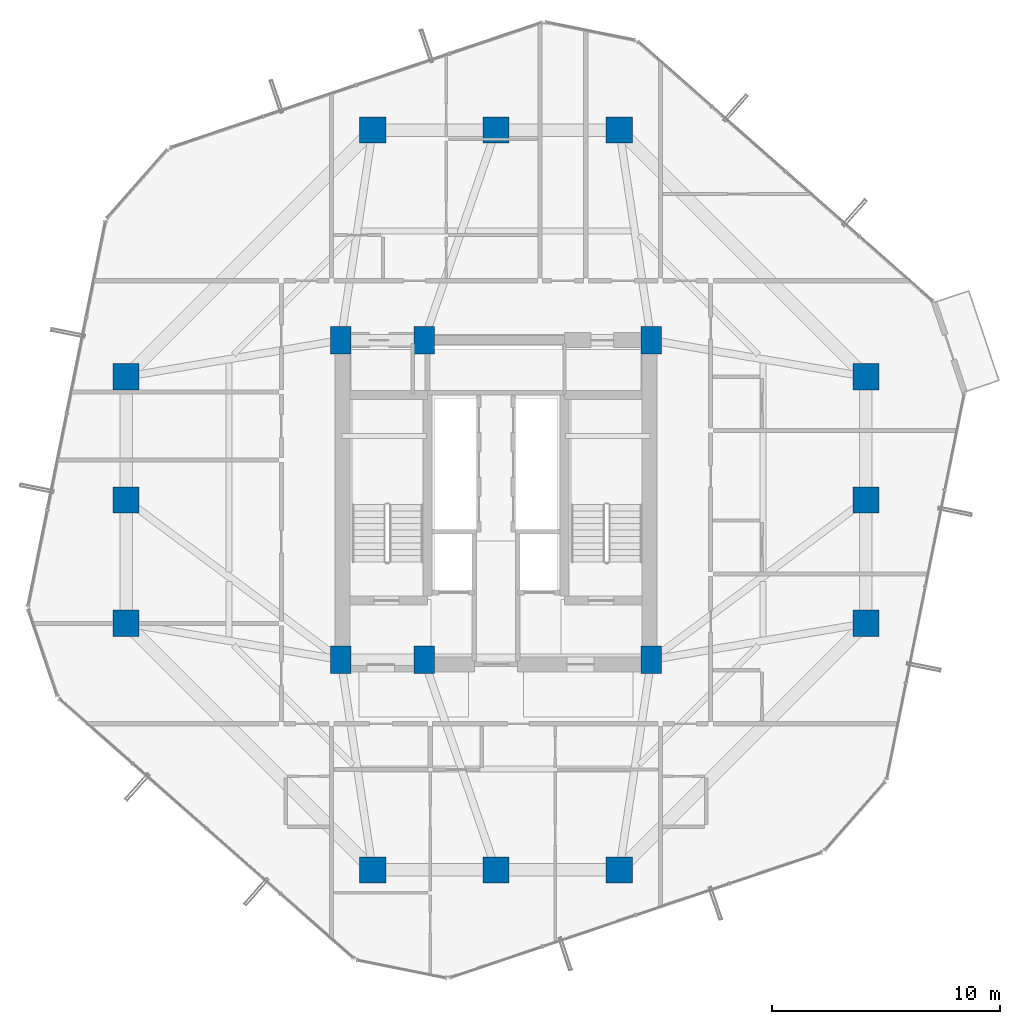
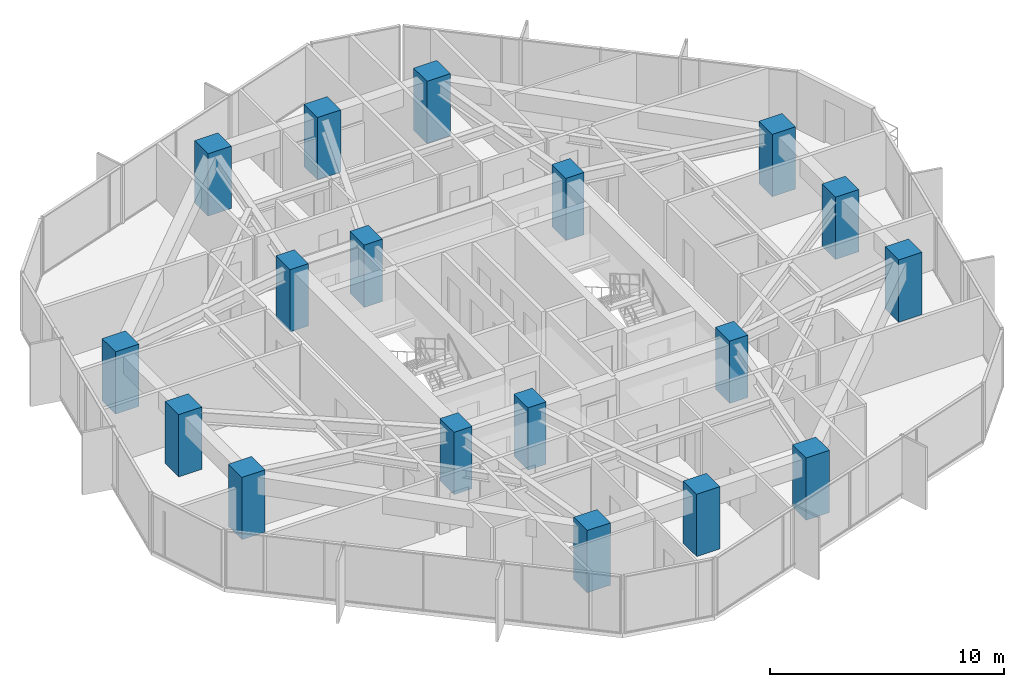
# One storey, part 1 of 32: 18 columns.
"""IFC4 building model written with IfcOpenShell, lengths in metres."""

from ifc_helpers import new_model, si_unit, direction, frame, origin, origin_2d, place, context, subcontext, project, spatial, rectangle, extrude, material, material_profile, profile_set, type_object, element, save


model = new_model("IFC4")

# Units and contexts
model_context = context("Model", 3, precision=1e-05, world=origin(), true_north=direction((0.0, 1.0)))
body_context = subcontext(model_context, "Body", "Model", "MODEL_VIEW")
ifc_project = project(units=[si_unit("LENGTHUNIT", "METRE"), si_unit("AREAUNIT", "SQUARE_METRE"), si_unit("VOLUMEUNIT", "CUBIC_METRE"), si_unit("PLANEANGLEUNIT", "RADIAN"), si_unit("MASSUNIT", "GRAM", prefix="KILO")], contexts=[model_context])

# Site, building, storey
site_placement = place(None, origin())
site = spatial("IfcSite", under=ifc_project, at=site_placement, CompositionType="ELEMENT")
building_placement = place(site_placement, origin())
building = spatial("IfcBuilding", under=site, at=building_placement, Name="Veraguas Prism Commons", CompositionType="ELEMENT")
storey_placement = place(building_placement, frame((0.0, 0.0, 89.449951171875)))
storey = spatial("IfcBuildingStorey", under=building, at=storey_placement, Name="L24", CompositionType="ELEMENT", Elevation=89.449951171875)

# Columns
ifc_material = material(Name="Concrete C60/75", Category="concrete")
ifc_material_profile_1 = material_profile(ifc_material, rectangle(XDim=1.14990234375, YDim=1.14990234375, at=origin_2d()), Name="RC1150X1150")
ifc_profile_set_1 = profile_set([ifc_material_profile_1], Name="Concrete C60/75")
column_type_1 = type_object("IfcColumnType", Name="Column Tube Z2 RC 1150x1150", PredefinedType="COLUMN", material=ifc_profile_set_1)
for number, where, z_axis, x_axis, name in (
    (1, (40.199951171875, 18.60009765625, 0.0), (0.0, 0.0, 1.0), (1.0, 0.0, 0.0), "Tower Perimeter Column L24-TB01"),
    (2, (40.199951171875, 24.0, 0.0), (0.0, 0.0, 1.0), (1.0, 0.0, 0.0), "Tower Perimeter Column L24-TB02"),
    (3, (40.199951171875, 29.39990234375, 0.0), (0.0, 0.0, 1.0), (1.0, 0.0, 0.0), "Tower Perimeter Column L24-TB03"),
    (4, (29.39990234375, 40.199951171875, 0.0), (0.0, 0.0, 1.0), (1.0, 0.0, 0.0), "Tower Perimeter Column L24-TB04"),
    (5, (24.0, 40.199951171875, 0.0), (0.0, 0.0, 1.0), (1.0, 0.0, 0.0), "Tower Perimeter Column L24-TB05"),
    (6, (18.60009765625, 40.199951171875, 0.0), (0.0, 0.0, 1.0), (1.0, 0.0, 0.0), "Tower Perimeter Column L24-TB06"),
    (7, (7.800048828125, 29.39990234375, 0.0), (0.0, 0.0, 1.0), (1.0, 0.0, 0.0), "Tower Perimeter Column L24-TB07"),
    (8, (7.800048828125, 24.0, 0.0), (0.0, 0.0, 1.0), (1.0, 0.0, 0.0), "Tower Perimeter Column L24-TB08"),
    (9, (7.800048828125, 18.60009765625, 0.0), (0.0, 0.0, 1.0), (1.0, 0.0, 0.0), "Tower Perimeter Column L24-TB09"),
    (10, (18.60009765625, 7.800048828125, 0.0), (0.0, 0.0, 1.0), (1.0, 0.0, 0.0), "Tower Perimeter Column L24-TB10"),
    (11, (24.0, 7.800048828125, 0.0), (0.0, 0.0, 1.0), (1.0, 0.0, 0.0), "Tower Perimeter Column L24-TB11"),
    (12, (29.39990234375, 7.800048828125, 0.0), (0.0, 0.0, 1.0), (1.0, 0.0, 0.0), "Tower Perimeter Column L24-TB12"),
):
    element("IfcColumn", number, at=place(storey_placement, frame(where, z_axis=z_axis, x_axis=x_axis)), inside=storey, type_object=column_type_1, Name=name, PredefinedType="COLUMN", context=body_context, shape_type="SweptSolid", body=[
        extrude(rectangle(XDim=1.14990234375, YDim=1.14990234375, at=origin_2d()), origin(), (0.0, 0.0, 1.0), 3.25),
    ])
ifc_material_profile_2 = material_profile(ifc_material, rectangle(XDim=0.89990234375, YDim=1.199951171875, at=origin_2d()), Name="RC900X1200")
ifc_profile_set_2 = profile_set([ifc_material_profile_2], Name="Concrete C60/75")
column_type_2 = type_object("IfcColumnType", Name="Pilaster Core Lower RC 900x1200", PredefinedType="PILASTER", material=ifc_profile_set_2)
for number, where, z_axis, x_axis, name in (
    (13, (17.199951171875, 17.0, 0.0), (0.0, 0.0, 1.0), (1.0, 0.0, 0.0), "Core Pilaster Column L24-CR1"),
    (14, (20.85009765625, 17.0, 0.0), (0.0, 0.0, 1.0), (1.0, 0.0, 0.0), "Core Pilaster Column L24-CR2"),
    (15, (30.800048828125, 17.0, 0.0), (0.0, 0.0, 1.0), (1.0, 0.0, 0.0), "Core Pilaster Column L24-CR3"),
    (16, (17.199951171875, 31.0, 0.0), (0.0, 0.0, 1.0), (1.0, 0.0, 0.0), "Core Pilaster Column L24-CR4"),
    (17, (20.85009765625, 31.0, 0.0), (0.0, 0.0, 1.0), (1.0, 0.0, 0.0), "Core Pilaster Column L24-CR5"),
    (18, (30.800048828125, 31.0, 0.0), (0.0, 0.0, 1.0), (1.0, 0.0, 0.0), "Core Pilaster Column L24-CR6"),
):
    element("IfcColumn", number, at=place(storey_placement, frame(where, z_axis=z_axis, x_axis=x_axis)), inside=storey, type_object=column_type_2, Name=name, PredefinedType="PILASTER", context=body_context, shape_type="SweptSolid", body=[
        extrude(rectangle(XDim=0.89990234375, YDim=1.199951171875, at=origin_2d()), origin(), (0.0, 0.0, 1.0), 3.25),
    ])

save(model, "model.ifc")
